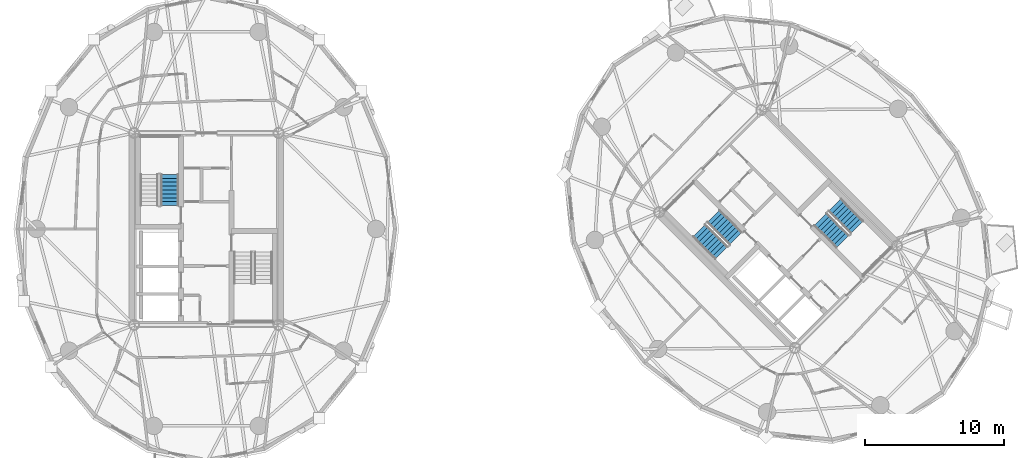
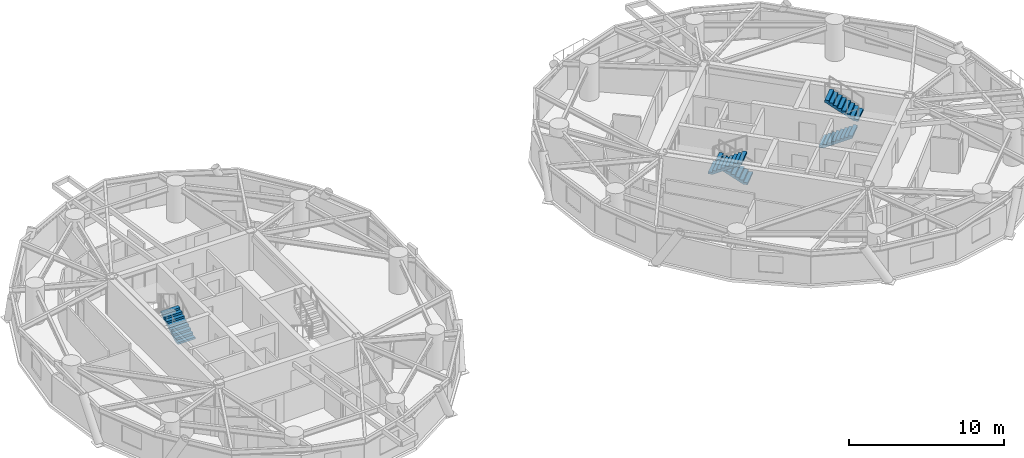
# One storey, part 16 of 19: 5 stair flights, 3 elements without a shape of their own.
"""IFC4 building model written with IfcOpenShell, lengths in metres."""

from ifc_helpers import new_model, si_unit, direction, frame, origin, place, context, subcontext, project, spatial, polyline, outline, extrude, material, type_object, element, aggregate, save


model = new_model("IFC4")

# Units and contexts
model_context = context("Model", 3, precision=1e-05, world=origin(), true_north=direction((0.0, 1.0)))
body_context = subcontext(model_context, "Body", "Model", "MODEL_VIEW")
ifc_project = project(units=[si_unit("LENGTHUNIT", "METRE"), si_unit("AREAUNIT", "SQUARE_METRE"), si_unit("VOLUMEUNIT", "CUBIC_METRE"), si_unit("PLANEANGLEUNIT", "RADIAN"), si_unit("MASSUNIT", "GRAM", prefix="KILO")], contexts=[model_context])

# Site, building, storey
site_placement = place(None, origin())
site = spatial("IfcSite", under=ifc_project, at=site_placement, CompositionType="ELEMENT")
building_placement = place(site_placement, origin())
building = spatial("IfcBuilding", under=site, at=building_placement, Name="Cununo Teusaquillo Station Towers", CompositionType="ELEMENT")
storey_placement = place(building_placement, frame((0.0, 0.0, 177.7900390625)))
storey = spatial("IfcBuildingStorey", under=building, at=storey_placement, Name="L56", CompositionType="ELEMENT", Elevation=177.7900390625)

# Stair, stair flight
ifc_material_1 = material(Name="Concrete C50/60", Category="concrete")
stair_type = type_object("IfcStairType", Name="ST-TWR-1300", PredefinedType="HALF_TURN_STAIR", material=ifc_material_1)
stair_1_placement = place(storey_placement, origin())
stair_1 = element("IfcStair", 1, at=stair_1_placement, inside=storey, type_object=stair_type, Name="L56 Tower A Protected Core Exit Stair 1", PredefinedType="HALF_TURN_STAIR")
ifc_material_2 = material(Name="Concrete C50/60", Category="concrete")
stair_flight_type = type_object("IfcStairFlightType", Name="SFL-TWR-1300", PredefinedType="STRAIGHT", material=ifc_material_2)
stair_flight_1_placement = place(storey_placement, frame((13.8701171875, 26.169921875, 0.0), z_axis=(0.0, 0.0, 1.0), x_axis=(0.0, 1.0, 0.0)))
stair_flight_1 = element("IfcStairFlight", 2, at=stair_flight_1_placement, type_object=stair_flight_type, Name="ST-T1-1 flight 1", NumberOfRisers=9, NumberOfTreads=8, PredefinedType="STRAIGHT", RiserHeight=0.161666667, TreadLength=0.28, context=body_context, shape_type="SweptSolid", body=[
    extrude(outline(polyline([(0.0, 0.0), (0.0, 0.16162109375), (0.280029296875, 0.16162109375), (0.280029296875, 0.3232421875), (0.56005859375, 0.3232421875), (0.56005859375, 0.485107421875), (0.840087890625, 0.485107421875), (0.840087890625, 0.646728515625), (1.1201171875, 0.646728515625), (1.1201171875, 0.808349609375), (1.39990234375, 0.808349609375), (1.39990234375, 0.969970703125), (1.679931640625, 0.969970703125), (1.679931640625, 1.131591796875), (1.9599609375, 1.131591796875), (1.9599609375, 1.293212890625), (2.239990234375, 1.293212890625), (2.239990234375, 1.455078125), (2.239990234375, 1.1201171875), (0.2998046875, 0.0), (0.0, 0.0)])), frame((0.0, 0.64990234375, 0.0), z_axis=(0.0, -1.0, 0.0), x_axis=(1.0, 0.0, 0.0)), (0.0, 0.0, 1.0), 1.300048828125),
])
aggregate(stair_1, [stair_flight_1])

# Stair, stair flights
stair_2_placement = place(storey_placement, origin())
stair_2 = element("IfcStair", 3, at=stair_2_placement, inside=storey, type_object=stair_type, Name="L56 Tower B Protected Core Exit Stair 1", PredefinedType="HALF_TURN_STAIR")
stair_flight_2_placement = place(storey_placement, frame((54.45947265625, 23.8212890625, 0.0), z_axis=(0.0, 0.0, 1.0), x_axis=(-0.707106781187, 0.707106781187, 0.0)))
stair_flight_2 = element("IfcStairFlight", 4, at=stair_flight_2_placement, type_object=stair_flight_type, Name="ST-T2-1 flight 1", NumberOfRisers=9, NumberOfTreads=8, PredefinedType="STRAIGHT", RiserHeight=0.161666667, TreadLength=0.28, context=body_context, shape_type="SweptSolid", body=[
    extrude(outline(polyline([(0.0, 0.0), (0.0, 0.16162109375), (0.280029296875, 0.16162109375), (0.280029296875, 0.3232421875), (0.56005859375, 0.3232421875), (0.56005859375, 0.485107421875), (0.840087890625, 0.485107421875), (0.840087890625, 0.646728515625), (1.1201171875, 0.646728515625), (1.1201171875, 0.808349609375), (1.39990234375, 0.808349609375), (1.39990234375, 0.969970703125), (1.679931640625, 0.969970703125), (1.679931640625, 1.131591796875), (1.9599609375, 1.131591796875), (1.9599609375, 1.293212890625), (2.239990234375, 1.293212890625), (2.239990234375, 1.455078125), (2.239990234375, 1.1201171875), (0.2998046875, 0.0), (0.0, 0.0)])), frame((0.0, 0.64990234375, 0.0), z_axis=(0.0, -1.0, 0.0), x_axis=(1.0, 0.0, 0.0)), (0.0, 0.0, 1.0), 1.300048828125),
])
stair_flight_3_placement = place(storey_placement, frame((51.84326171875, 24.372802734375, 1.455078125), z_axis=(0.0, 0.0, 1.0), x_axis=(0.707106781187, -0.707106781187, 0.0)))
stair_flight_3 = element("IfcStairFlight", 5, at=stair_flight_3_placement, type_object=stair_flight_type, Name="ST-T2-1 flight 2", NumberOfRisers=9, NumberOfTreads=8, PredefinedType="STRAIGHT", RiserHeight=0.161666667, TreadLength=0.28, context=body_context, shape_type="SweptSolid", body=[
    extrude(outline(polyline([(0.0, 0.0), (0.0, 0.16162109375), (0.280029296875, 0.16162109375), (0.280029296875, 0.3232421875), (0.56005859375, 0.3232421875), (0.56005859375, 0.485107421875), (0.840087890625, 0.485107421875), (0.840087890625, 0.646728515625), (1.1201171875, 0.646728515625), (1.1201171875, 0.808349609375), (1.39990234375, 0.808349609375), (1.39990234375, 0.969970703125), (1.679931640625, 0.969970703125), (1.679931640625, 1.131591796875), (1.9599609375, 1.131591796875), (1.9599609375, 1.293212890625), (2.239990234375, 1.293212890625), (2.239990234375, 1.455078125), (2.239990234375, 1.1201171875), (0.2998046875, 0.0), (0.0, 0.0)])), frame((0.0, 0.64990234375, 0.0), z_axis=(0.0, -1.0, 0.0), x_axis=(1.0, 0.0, 0.0)), (0.0, 0.0, 1.0), 1.300048828125),
])
aggregate(stair_2, [stair_flight_2, stair_flight_3])

stair_3_placement = place(storey_placement, origin())
stair_3 = element("IfcStair", 6, at=stair_3_placement, inside=storey, type_object=stair_type, Name="L56 Tower B Protected Core Exit Stair 2", PredefinedType="HALF_TURN_STAIR")
stair_flight_4_placement = place(storey_placement, frame((60.54052734375, 25.1787109375, 0.0), z_axis=(0.0, 0.0, 1.0), x_axis=(0.707106781187, -0.707106781187, 0.0)))
stair_flight_4 = element("IfcStairFlight", 7, at=stair_flight_4_placement, type_object=stair_flight_type, Name="ST-T2-2 flight 1", NumberOfRisers=9, NumberOfTreads=8, PredefinedType="STRAIGHT", RiserHeight=0.161666667, TreadLength=0.28, context=body_context, shape_type="SweptSolid", body=[
    extrude(outline(polyline([(0.0, 0.0), (0.0, 0.16162109375), (0.280029296875, 0.16162109375), (0.280029296875, 0.3232421875), (0.56005859375, 0.3232421875), (0.56005859375, 0.485107421875), (0.840087890625, 0.485107421875), (0.840087890625, 0.646728515625), (1.1201171875, 0.646728515625), (1.1201171875, 0.808349609375), (1.39990234375, 0.808349609375), (1.39990234375, 0.969970703125), (1.679931640625, 0.969970703125), (1.679931640625, 1.131591796875), (1.9599609375, 1.131591796875), (1.9599609375, 1.293212890625), (2.239990234375, 1.293212890625), (2.239990234375, 1.455078125), (2.239990234375, 1.1201171875), (0.2998046875, 0.0), (0.0, 0.0)])), frame((0.0, 0.64990234375, 0.0), z_axis=(0.0, -1.0, 0.0), x_axis=(1.0, 0.0, 0.0)), (0.0, 0.0, 1.0), 1.300048828125),
])
stair_flight_5_placement = place(storey_placement, frame((63.15673828125, 24.627197265625, 1.455078125), z_axis=(0.0, 0.0, 1.0), x_axis=(-0.707106781187, 0.707106781187, 0.0)))
stair_flight_5 = element("IfcStairFlight", 8, at=stair_flight_5_placement, type_object=stair_flight_type, Name="ST-T2-2 flight 2", NumberOfRisers=9, NumberOfTreads=8, PredefinedType="STRAIGHT", RiserHeight=0.161666667, TreadLength=0.28, context=body_context, shape_type="SweptSolid", body=[
    extrude(outline(polyline([(0.0, 0.0), (0.0, 0.16162109375), (0.280029296875, 0.16162109375), (0.280029296875, 0.3232421875), (0.56005859375, 0.3232421875), (0.56005859375, 0.485107421875), (0.840087890625, 0.485107421875), (0.840087890625, 0.646728515625), (1.1201171875, 0.646728515625), (1.1201171875, 0.808349609375), (1.39990234375, 0.808349609375), (1.39990234375, 0.969970703125), (1.679931640625, 0.969970703125), (1.679931640625, 1.131591796875), (1.9599609375, 1.131591796875), (1.9599609375, 1.293212890625), (2.239990234375, 1.293212890625), (2.239990234375, 1.455078125), (2.239990234375, 1.1201171875), (0.2998046875, 0.0), (0.0, 0.0)])), frame((0.0, 0.64990234375, 0.0), z_axis=(0.0, -1.0, 0.0), x_axis=(1.0, 0.0, 0.0)), (0.0, 0.0, 1.0), 1.300048828125),
])
aggregate(stair_3, [stair_flight_4, stair_flight_5])

save(model, "model.ifc")
